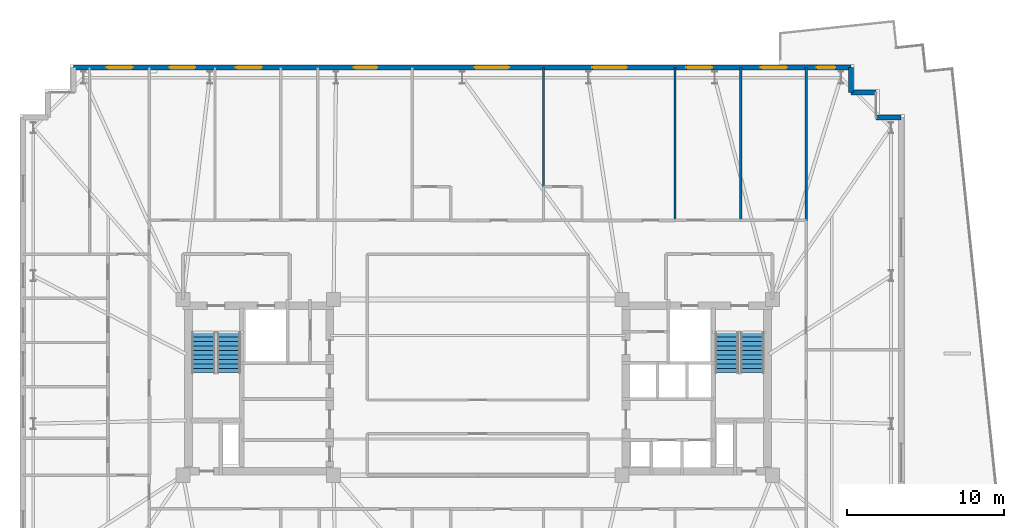
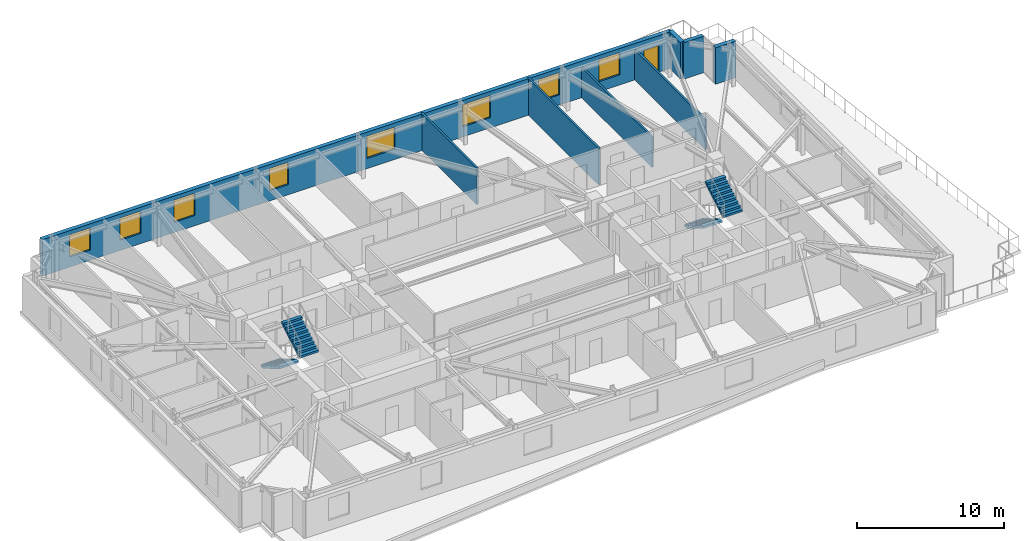
# One storey, part 15 of 19: 8 walls, 8 windows, 4 stair flights, 1 door, 9 openings, 2 elements without a shape of their own.
"""IFC4 building model written with IfcOpenShell, lengths in metres."""

from ifc_helpers import new_model, si_unit, direction, frame, frame_2d, origin, place, context, subcontext, project, spatial, polyline, rectangle, outline, extrude, material, layer, layer_set, type_object, element, fill, aggregate, save


model = new_model("IFC4")

# Units and contexts
model_context = context("Model", 3, precision=1e-05, world=origin(), true_north=direction((0.0, 1.0)))
body_context = subcontext(model_context, "Body", "Model", "MODEL_VIEW")
ifc_project = project(units=[si_unit("LENGTHUNIT", "METRE"), si_unit("AREAUNIT", "SQUARE_METRE"), si_unit("VOLUMEUNIT", "CUBIC_METRE"), si_unit("PLANEANGLEUNIT", "RADIAN"), si_unit("MASSUNIT", "GRAM", prefix="KILO")], contexts=[model_context])

# Site, building, storey
site_placement = place(None, origin())
site = spatial("IfcSite", under=ifc_project, at=site_placement, CompositionType="ELEMENT")
building_placement = place(site_placement, origin())
building = spatial("IfcBuilding", under=site, at=building_placement, Name="Qobustan Lattice House", CompositionType="ELEMENT")
storey_placement = place(building_placement, frame((0.0, 0.0, 131.0)))
storey = spatial("IfcBuildingStorey", under=building, at=storey_placement, Name="L36", CompositionType="ELEMENT", Elevation=131.0)

# Wall, openings, door, windows
ifc_material_1 = material(Name="Precast concrete C40/50", Category="concrete")
ifc_layer_1 = layer(ifc_material_1, 0.320068359375)
ifc_layer_set_1 = layer_set([ifc_layer_1], Name="Precast concrete C40/50")
wall_type_1 = type_object("IfcWallType", Name="WAL-EXT-STONE-320", PredefinedType="SOLIDWALL", material=ifc_layer_set_1)
wall_1_placement = place(storey_placement, frame((-25.800048828125, 20.39990234375, 0.0), z_axis=(0.0, 0.0, 1.0), x_axis=(1.0, 0.0, 0.0)))
wall_1 = element("IfcWall", 1, at=wall_1_placement, inside=storey, type_object=wall_type_1, Name="L36 exterior limestone-clad wall 10", PredefinedType="SOLIDWALL", context=body_context, shape_type="SweptSolid", body=[
    extrude(rectangle(XDim=49.60009765625, YDim=0.320068359375, at=frame_2d((24.800048828125, 0.0))), origin(), (0.0, 0.0, 1.0), 3.0400390625),
])
opening_1_placement = place(wall_1_placement, frame((47.39990234375, 0.0, 0.0)))
opening_1 = element("IfcOpeningElement", 2, at=opening_1_placement, cuts=wall_1, Name="Opening TD-01", PredefinedType="OPENING", context=body_context, shape_type="SweptSolid", body=[
    extrude(rectangle(XDim=1.199951171875, YDim=2.199951171875, at=frame_2d((0.60009765625, 1.10009765625))), frame((0.0, 0.169921875, 0.0), z_axis=(0.0, -1.0, 0.0), x_axis=(1.0, 0.0, 0.0)), (0.0, 0.0, 1.0), 0.340087890625),
])
opening_2_placement = place(wall_1_placement, frame((2.135009765625, 0.0, 0.85009765625)))
opening_2 = element("IfcOpeningElement", 3, at=opening_2_placement, cuts=wall_1, Name="Opening WN-09", PredefinedType="OPENING", context=body_context, shape_type="SweptSolid", body=[
    extrude(rectangle(XDim=1.64990234375, YDim=1.85009765625, at=frame_2d((0.824951171875, 0.925048828125))), frame((0.0, 0.169921875, 0.0), z_axis=(0.0, -1.0, 0.0), x_axis=(1.0, 0.0, 0.0)), (0.0, 0.0, 1.0), 0.340087890625),
])
opening_3_placement = place(wall_1_placement, frame((6.135009765625, 0.0, 0.85009765625)))
opening_3 = element("IfcOpeningElement", 4, at=opening_3_placement, cuts=wall_1, Name="Opening WN-09", PredefinedType="OPENING", context=body_context, shape_type="SweptSolid", body=[
    extrude(rectangle(XDim=1.64990234375, YDim=1.85009765625, at=frame_2d((0.824951171875, 0.925048828125))), frame((0.0, 0.169921875, 0.0), z_axis=(0.0, -1.0, 0.0), x_axis=(1.0, 0.0, 0.0)), (0.0, 0.0, 1.0), 0.340087890625),
])
opening_4_placement = place(wall_1_placement, frame((10.375, 0.0, 0.85009765625)))
opening_4 = element("IfcOpeningElement", 5, at=opening_4_placement, cuts=wall_1, Name="Opening WN-09", PredefinedType="OPENING", context=body_context, shape_type="SweptSolid", body=[
    extrude(rectangle(XDim=1.64990234375, YDim=1.85009765625, at=frame_2d((0.824951171875, 0.925048828125))), frame((0.0, 0.169921875, 0.0), z_axis=(0.0, -1.0, 0.0), x_axis=(1.0, 0.0, 0.0)), (0.0, 0.0, 1.0), 0.340087890625),
])
opening_5_placement = place(wall_1_placement, frame((17.889892578125, 0.0, 0.85009765625)))
opening_5 = element("IfcOpeningElement", 6, at=opening_5_placement, cuts=wall_1, Name="Opening WN-01", PredefinedType="OPENING", context=body_context, shape_type="SweptSolid", body=[
    extrude(rectangle(XDim=1.5, YDim=1.85009765625, at=frame_2d((0.75, 0.925048828125))), frame((0.0, 0.169921875, 0.0), z_axis=(0.0, -1.0, 0.0), x_axis=(1.0, 0.0, 0.0)), (0.0, 0.0, 1.0), 0.340087890625),
])
opening_6_placement = place(wall_1_placement, frame((25.592041015625, 0.0, 0.85009765625)))
opening_6 = element("IfcOpeningElement", 7, at=opening_6_placement, cuts=wall_1, Name="Opening WN-03", PredefinedType="OPENING", context=body_context, shape_type="SweptSolid", body=[
    extrude(rectangle(XDim=2.199951171875, YDim=1.85009765625, at=frame_2d((1.10009765625, 0.925048828125))), frame((0.0, 0.169921875, 0.0), z_axis=(0.0, -1.0, 0.0), x_axis=(1.0, 0.0, 0.0)), (0.0, 0.0, 1.0), 0.340087890625),
])
opening_7_placement = place(wall_1_placement, frame((33.10009765625, 0.0, 0.85009765625)))
opening_7 = element("IfcOpeningElement", 8, at=opening_7_placement, cuts=wall_1, Name="Opening WN-03", PredefinedType="OPENING", context=body_context, shape_type="SweptSolid", body=[
    extrude(rectangle(XDim=2.199951171875, YDim=1.85009765625, at=frame_2d((1.10009765625, 0.925048828125))), frame((0.0, 0.169921875, 0.0), z_axis=(0.0, -1.0, 0.0), x_axis=(1.0, 0.0, 0.0)), (0.0, 0.0, 1.0), 0.340087890625),
])
opening_8_placement = place(wall_1_placement, frame((39.091552734375, 0.0, 0.85009765625)))
opening_8 = element("IfcOpeningElement", 9, at=opening_8_placement, cuts=wall_1, Name="Opening WN-09", PredefinedType="OPENING", context=body_context, shape_type="SweptSolid", body=[
    extrude(rectangle(XDim=1.64990234375, YDim=1.85009765625, at=frame_2d((0.824951171875, 0.925048828125))), frame((0.0, 0.169921875, 0.0), z_axis=(0.0, -1.0, 0.0), x_axis=(1.0, 0.0, 0.0)), (0.0, 0.0, 1.0), 0.340087890625),
])
opening_9_placement = place(wall_1_placement, frame((43.85498046875, 0.0, 0.85009765625)))
opening_9 = element("IfcOpeningElement", 10, at=opening_9_placement, cuts=wall_1, Name="Opening WN-09", PredefinedType="OPENING", context=body_context, shape_type="SweptSolid", body=[
    extrude(rectangle(XDim=1.64990234375, YDim=1.85009765625, at=frame_2d((0.824951171875, 0.925048828125))), frame((0.0, 0.169921875, 0.0), z_axis=(0.0, -1.0, 0.0), x_axis=(1.0, 0.0, 0.0)), (0.0, 0.0, 1.0), 0.340087890625),
])
ifc_material_2 = material(Name="Thermally broken anodised aluminium glazed door", Category="aluminium")
door_type = type_object("IfcDoorType", Name="DOR-EXT-TERR-1200x2200", OperationType="NOTDEFINED", PredefinedType="DOOR", material=ifc_material_2)
door_placement = place(opening_1_placement, origin())
door = element("IfcDoor", 11, at=door_placement, inside=storey, type_object=door_type, Name="L36 outdoor terrace access door", OperationType="SINGLE_SWING_LEFT", OverallHeight=2.199951171875, OverallWidth=1.199951171875, PredefinedType="DOOR", context=body_context, shape_type="SweptSolid", body=[
    extrude(rectangle(XDim=1.199951171875, YDim=2.199951171875, at=frame_2d((0.60009765625, 1.10009765625))), frame((0.0, 0.02490234375, 0.0), z_axis=(0.0, -1.0, 0.0), x_axis=(1.0, 0.0, 0.0)), (0.0, 0.0, 1.0), 0.050048828125),
])
fill(opening_1, door)
ifc_material_3 = material(Name="Double-glazed low-E aluminium window", Category="aluminium")
window_type_1 = type_object("IfcWindowType", Name="WIN-BED-1500x1850", PartitioningType="SINGLE_PANEL", PredefinedType="WINDOW", material=ifc_material_3)
window_1_placement = place(opening_5_placement, origin())
window_1 = element("IfcWindow", 12, at=window_1_placement, inside=storey, type_object=window_type_1, Name="L36 Laundry utility room window", OverallHeight=1.85009765625, OverallWidth=1.5, PartitioningType="SINGLE_PANEL", PredefinedType="WINDOW", context=body_context, shape_type="SweptSolid", body=[
    extrude(rectangle(XDim=1.5, YDim=1.85009765625, at=frame_2d((0.75, 0.925048828125))), frame((0.0, 0.030029296875, 0.0), z_axis=(0.0, -1.0, 0.0), x_axis=(1.0, 0.0, 0.0)), (0.0, 0.0, 1.0), 0.06005859375),
])
fill(opening_5, window_1)
ifc_material_4 = material(Name="Double-glazed low-E aluminium window", Category="aluminium")
window_type_2 = type_object("IfcWindowType", Name="WIN-STU-1650x1850", PartitioningType="SINGLE_PANEL", PredefinedType="WINDOW", material=ifc_material_4)
window_2_placement = place(opening_2_placement, origin())
window_2 = element("IfcWindow", 13, at=window_2_placement, inside=storey, type_object=window_type_2, Name="L36 Reading seminar room L36WN window", OverallHeight=1.85009765625, OverallWidth=1.64990234375, PartitioningType="SINGLE_PANEL", PredefinedType="WINDOW", context=body_context, shape_type="SweptSolid", body=[
    extrude(rectangle(XDim=1.64990234375, YDim=1.85009765625, at=frame_2d((0.824951171875, 0.925048828125))), frame((0.0, 0.030029296875, 0.0), z_axis=(0.0, -1.0, 0.0), x_axis=(1.0, 0.0, 0.0)), (0.0, 0.0, 1.0), 0.06005859375),
])
fill(opening_2, window_2)
window_3_placement = place(opening_3_placement, origin())
window_3 = element("IfcWindow", 14, at=window_3_placement, inside=storey, type_object=window_type_2, Name="L36 Focus study room N1A window", OverallHeight=1.85009765625, OverallWidth=1.64990234375, PartitioningType="SINGLE_PANEL", PredefinedType="WINDOW", context=body_context, shape_type="SweptSolid", body=[
    extrude(rectangle(XDim=1.64990234375, YDim=1.85009765625, at=frame_2d((0.824951171875, 0.925048828125))), frame((0.0, 0.030029296875, 0.0), z_axis=(0.0, -1.0, 0.0), x_axis=(1.0, 0.0, 0.0)), (0.0, 0.0, 1.0), 0.06005859375),
])
fill(opening_3, window_3)
window_4_placement = place(opening_4_placement, origin())
window_4 = element("IfcWindow", 15, at=window_4_placement, inside=storey, type_object=window_type_2, Name="L36 Focus study room N1B window", OverallHeight=1.85009765625, OverallWidth=1.64990234375, PartitioningType="SINGLE_PANEL", PredefinedType="WINDOW", context=body_context, shape_type="SweptSolid", body=[
    extrude(rectangle(XDim=1.64990234375, YDim=1.85009765625, at=frame_2d((0.824951171875, 0.925048828125))), frame((0.0, 0.030029296875, 0.0), z_axis=(0.0, -1.0, 0.0), x_axis=(1.0, 0.0, 0.0)), (0.0, 0.0, 1.0), 0.06005859375),
])
fill(opening_4, window_4)
window_5_placement = place(opening_8_placement, origin())
window_5 = element("IfcWindow", 16, at=window_5_placement, inside=storey, type_object=window_type_2, Name="L36 Focus study room N5A window", OverallHeight=1.85009765625, OverallWidth=1.64990234375, PartitioningType="SINGLE_PANEL", PredefinedType="WINDOW", context=body_context, shape_type="SweptSolid", body=[
    extrude(rectangle(XDim=1.64990234375, YDim=1.85009765625, at=frame_2d((0.824951171875, 0.925048828125))), frame((0.0, 0.030029296875, 0.0), z_axis=(0.0, -1.0, 0.0), x_axis=(1.0, 0.0, 0.0)), (0.0, 0.0, 1.0), 0.06005859375),
])
fill(opening_8, window_5)
window_6_placement = place(opening_9_placement, origin())
window_6 = element("IfcWindow", 17, at=window_6_placement, inside=storey, type_object=window_type_2, Name="L36 Focus study room N5B window", OverallHeight=1.85009765625, OverallWidth=1.64990234375, PartitioningType="SINGLE_PANEL", PredefinedType="WINDOW", context=body_context, shape_type="SweptSolid", body=[
    extrude(rectangle(XDim=1.64990234375, YDim=1.85009765625, at=frame_2d((0.824951171875, 0.925048828125))), frame((0.0, 0.030029296875, 0.0), z_axis=(0.0, -1.0, 0.0), x_axis=(1.0, 0.0, 0.0)), (0.0, 0.0, 1.0), 0.06005859375),
])
fill(opening_9, window_6)
ifc_material_5 = material(Name="Double-glazed low-E aluminium window", Category="aluminium")
window_type_3 = type_object("IfcWindowType", Name="WIN-WIDE-2200x1850", PartitioningType="SINGLE_PANEL", PredefinedType="WINDOW", material=ifc_material_5)
window_7_placement = place(opening_6_placement, origin())
window_7 = element("IfcWindow", 18, at=window_7_placement, inside=storey, type_object=window_type_3, Name="L36 Kitchenette and studio apartment L36-N3 window", OverallHeight=1.85009765625, OverallWidth=2.199951171875, PartitioningType="SINGLE_PANEL", PredefinedType="WINDOW", context=body_context, shape_type="SweptSolid", body=[
    extrude(rectangle(XDim=2.199951171875, YDim=1.85009765625, at=frame_2d((1.10009765625, 0.925048828125))), frame((0.0, 0.030029296875, 0.0), z_axis=(0.0, -1.0, 0.0), x_axis=(1.0, 0.0, 0.0)), (0.0, 0.0, 1.0), 0.06005859375),
])
fill(opening_6, window_7)
window_8_placement = place(opening_7_placement, origin())
window_8 = element("IfcWindow", 19, at=window_8_placement, inside=storey, type_object=window_type_3, Name="L36 Kitchenette and studio apartment L36-N4 window", OverallHeight=1.85009765625, OverallWidth=2.199951171875, PartitioningType="SINGLE_PANEL", PredefinedType="WINDOW", context=body_context, shape_type="SweptSolid", body=[
    extrude(rectangle(XDim=2.199951171875, YDim=1.85009765625, at=frame_2d((1.10009765625, 0.925048828125))), frame((0.0, 0.030029296875, 0.0), z_axis=(0.0, -1.0, 0.0), x_axis=(1.0, 0.0, 0.0)), (0.0, 0.0, 1.0), 0.06005859375),
])
fill(opening_7, window_8)

# Walls
for number, where, z_axis, x_axis, name in (
    (20, (23.800048828125, 20.39990234375, 0.0), (0.0, 0.0, 1.0), (0.0, -1.0, 0.0), "L36 exterior limestone-clad wall 11"),
    (21, (23.800048828125, 18.800048828125, 0.0), (0.0, 0.0, 1.0), (1.0, 0.0, 0.0), "L36 exterior limestone-clad wall 12"),
):
    element("IfcWall", number, at=place(storey_placement, frame(where, z_axis=z_axis, x_axis=x_axis)), inside=storey, type_object=wall_type_1, Name=name, PredefinedType="SOLIDWALL", context=body_context, shape_type="SweptSolid", body=[
        extrude(rectangle(XDim=1.599853515625, YDim=0.320068359375, at=frame_2d((0.7998046875, 0.0))), origin(), (0.0, 0.0, 1.0), 3.0400390625),
    ])
wall_2_placement = place(storey_placement, frame((25.39990234375, 17.199951171875, 0.0), z_axis=(0.0, 0.0, 1.0), x_axis=(1.0, 0.0, 0.0)))
element("IfcWall", 22, at=wall_2_placement, inside=storey, type_object=wall_type_1, Name="L36 exterior limestone-clad wall 14", PredefinedType="SOLIDWALL", context=body_context, shape_type="SweptSolid", body=[
    extrude(rectangle(XDim=1.60009765625, YDim=0.320068359375, at=frame_2d((0.800048828125, 0.0))), origin(), (0.0, 0.0, 1.0), 3.0400390625),
])
ifc_material_6 = material(Name="Acoustic twin-stud gypsum partition", Category="gypsum")
ifc_layer_2 = layer(ifc_material_6, 0.14990234375)
ifc_layer_set_2 = layer_set([ifc_layer_2], Name="Acoustic twin-stud gypsum partition")
wall_type_2 = type_object("IfcWallType", Name="WAL-PART-150", PredefinedType="PARTITIONING", material=ifc_layer_set_2)
wall_3_placement = place(storey_placement, frame((20.949951171875, 10.64990234375, 0.0), z_axis=(0.0, 0.0, 1.0), x_axis=(0.0, 1.0, 0.0)))
element("IfcWall", 23, at=wall_3_placement, inside=storey, type_object=wall_type_2, Name="L36 interior partition 90", PredefinedType="PARTITIONING", context=body_context, shape_type="SweptSolid", body=[
    extrude(rectangle(XDim=9.75, YDim=0.14990234375, at=frame_2d((4.875, 0.0))), origin(), (0.0, 0.0, 1.0), 2.52490234375),
])
wall_4_placement = place(storey_placement, frame((4.18994140625, 20.39990234375, 0.0), z_axis=(0.0, 0.0, 1.0), x_axis=(0.0, -1.0, 0.0)))
element("IfcWall", 24, at=wall_4_placement, inside=storey, type_object=wall_type_2, Name="L36 interior partition 98", PredefinedType="PARTITIONING", context=body_context, shape_type="SweptSolid", body=[
    extrude(rectangle(XDim=7.599853515625, YDim=0.14990234375, at=frame_2d((3.7998046875, 0.0))), origin(), (0.0, 0.0, 1.0), 3.0400390625),
])
wall_5_placement = place(storey_placement, frame((12.570068359375, 20.39990234375, 0.0), z_axis=(0.0, 0.0, 1.0), x_axis=(0.0, -1.0, 0.0)))
element("IfcWall", 25, at=wall_5_placement, inside=storey, type_object=wall_type_2, Name="L36 interior partition 102", PredefinedType="PARTITIONING", context=body_context, shape_type="SweptSolid", body=[
    extrude(rectangle(XDim=9.75, YDim=0.14990234375, at=frame_2d((4.875, 0.0))), origin(), (0.0, 0.0, 1.0), 3.0400390625),
])
wall_6_placement = place(storey_placement, frame((16.760009765625, 20.39990234375, 0.0), z_axis=(0.0, 0.0, 1.0), x_axis=(0.0, -1.0, 0.0)))
element("IfcWall", 26, at=wall_6_placement, inside=storey, type_object=wall_type_2, Name="L36 interior partition 103", PredefinedType="PARTITIONING", context=body_context, shape_type="SweptSolid", body=[
    extrude(rectangle(XDim=9.75, YDim=0.14990234375, at=frame_2d((4.875, 0.0))), origin(), (0.0, 0.0, 1.0), 2.52490234375),
])

# Stair, stair flights
ifc_material_7 = material(Name="Concrete C40/50", Category="concrete")
stair_type = type_object("IfcStairType", Name="STR-CORE-DOGLEG", PredefinedType="HALF_TURN_STAIR", material=ifc_material_7)
stair_1_placement = place(storey_placement, origin())
stair_1 = element("IfcStair", 27, at=stair_1_placement, inside=storey, type_object=stair_type, Name="L36 West protected exit stair ST-W1", PredefinedType="HALF_TURN_STAIR")
ifc_material_8 = material(Name="Concrete C40/50", Category="concrete")
stair_flight_type = type_object("IfcStairFlightType", Name="SFL-RC-1500", PredefinedType="STRAIGHT", material=ifc_material_8)
stair_flight_1_placement = place(storey_placement, frame((-17.5, 3.5, 0.0), z_axis=(0.0, 0.0, 1.0), x_axis=(0.0, -1.0, 0.0)))
stair_flight_1 = element("IfcStairFlight", 28, at=stair_flight_1_placement, type_object=stair_flight_type, Name="ST-W1 flight 1", NumberOfRisers=10, NumberOfTreads=9, PredefinedType="STRAIGHT", RiserHeight=0.1675, TreadLength=0.285, context=body_context, shape_type="SweptSolid", body=[
    extrude(outline(polyline([(0.0, 0.0), (0.0, 0.16748046875), (0.284912109375, 0.16748046875), (0.284912109375, 0.3349609375), (0.570068359375, 0.3349609375), (0.570068359375, 0.50244140625), (0.85498046875, 0.50244140625), (0.85498046875, 0.669921875), (1.139892578125, 0.669921875), (1.139892578125, 0.83740234375), (1.425048828125, 0.83740234375), (1.425048828125, 1.0048828125), (1.7099609375, 1.0048828125), (1.7099609375, 1.172607421875), (1.9951171875, 1.172607421875), (1.9951171875, 1.340087890625), (2.280029296875, 1.340087890625), (2.280029296875, 1.507568359375), (2.56494140625, 1.507568359375), (2.56494140625, 1.675048828125), (2.56494140625, 1.333740234375), (0.2958984375, 0.0), (0.0, 0.0)])), frame((0.0, 0.75, 0.0), z_axis=(0.0, -1.0, 0.0), x_axis=(1.0, 0.0, 0.0)), (0.0, 0.0, 1.0), 1.5),
])
stair_flight_2_placement = place(storey_placement, frame((-15.8798828125, 0.93505859375, 1.675048828125), z_axis=(0.0, 0.0, 1.0), x_axis=(0.0, 1.0, 0.0)))
stair_flight_2 = element("IfcStairFlight", 29, at=stair_flight_2_placement, type_object=stair_flight_type, Name="ST-W1 flight 2", NumberOfRisers=10, NumberOfTreads=9, PredefinedType="STRAIGHT", RiserHeight=0.1675, TreadLength=0.285, context=body_context, shape_type="SweptSolid", body=[
    extrude(outline(polyline([(0.0, 0.0), (0.0, 0.16748046875), (0.284912109375, 0.16748046875), (0.284912109375, 0.3349609375), (0.570068359375, 0.3349609375), (0.570068359375, 0.50244140625), (0.85498046875, 0.50244140625), (0.85498046875, 0.669921875), (1.139892578125, 0.669921875), (1.139892578125, 0.83740234375), (1.425048828125, 0.83740234375), (1.425048828125, 1.0048828125), (1.7099609375, 1.0048828125), (1.7099609375, 1.172607421875), (1.9951171875, 1.172607421875), (1.9951171875, 1.340087890625), (2.280029296875, 1.340087890625), (2.280029296875, 1.507568359375), (2.56494140625, 1.507568359375), (2.56494140625, 1.675048828125), (2.56494140625, 1.333740234375), (0.2958984375, 0.0), (0.0, 0.0)])), frame((0.0, 0.75, 0.0), z_axis=(0.0, -1.0, 0.0), x_axis=(1.0, 0.0, 0.0)), (0.0, 0.0, 1.0), 1.5),
])
aggregate(stair_1, [stair_flight_1, stair_flight_2])

stair_2_placement = place(storey_placement, origin())
stair_2 = element("IfcStair", 30, at=stair_2_placement, inside=storey, type_object=stair_type, Name="L36 East protected exit stair ST-E1", PredefinedType="HALF_TURN_STAIR")
stair_flight_3_placement = place(storey_placement, frame((15.8798828125, 3.5, 0.0), z_axis=(0.0, 0.0, 1.0), x_axis=(0.0, -1.0, 0.0)))
stair_flight_3 = element("IfcStairFlight", 31, at=stair_flight_3_placement, type_object=stair_flight_type, Name="ST-E1 flight 1", NumberOfRisers=10, NumberOfTreads=9, PredefinedType="STRAIGHT", RiserHeight=0.1675, TreadLength=0.285, context=body_context, shape_type="SweptSolid", body=[
    extrude(outline(polyline([(0.0, 0.0), (0.0, 0.16748046875), (0.284912109375, 0.16748046875), (0.284912109375, 0.3349609375), (0.570068359375, 0.3349609375), (0.570068359375, 0.50244140625), (0.85498046875, 0.50244140625), (0.85498046875, 0.669921875), (1.139892578125, 0.669921875), (1.139892578125, 0.83740234375), (1.425048828125, 0.83740234375), (1.425048828125, 1.0048828125), (1.7099609375, 1.0048828125), (1.7099609375, 1.172607421875), (1.9951171875, 1.172607421875), (1.9951171875, 1.340087890625), (2.280029296875, 1.340087890625), (2.280029296875, 1.507568359375), (2.56494140625, 1.507568359375), (2.56494140625, 1.675048828125), (2.56494140625, 1.333740234375), (0.2958984375, 0.0), (0.0, 0.0)])), frame((0.0, 0.75, 0.0), z_axis=(0.0, -1.0, 0.0), x_axis=(1.0, 0.0, 0.0)), (0.0, 0.0, 1.0), 1.5),
])
stair_flight_4_placement = place(storey_placement, frame((17.5, 0.93505859375, 1.675048828125), z_axis=(0.0, 0.0, 1.0), x_axis=(0.0, 1.0, 0.0)))
stair_flight_4 = element("IfcStairFlight", 32, at=stair_flight_4_placement, type_object=stair_flight_type, Name="ST-E1 flight 2", NumberOfRisers=10, NumberOfTreads=9, PredefinedType="STRAIGHT", RiserHeight=0.1675, TreadLength=0.285, context=body_context, shape_type="SweptSolid", body=[
    extrude(outline(polyline([(0.0, 0.0), (0.0, 0.16748046875), (0.284912109375, 0.16748046875), (0.284912109375, 0.3349609375), (0.570068359375, 0.3349609375), (0.570068359375, 0.50244140625), (0.85498046875, 0.50244140625), (0.85498046875, 0.669921875), (1.139892578125, 0.669921875), (1.139892578125, 0.83740234375), (1.425048828125, 0.83740234375), (1.425048828125, 1.0048828125), (1.7099609375, 1.0048828125), (1.7099609375, 1.172607421875), (1.9951171875, 1.172607421875), (1.9951171875, 1.340087890625), (2.280029296875, 1.340087890625), (2.280029296875, 1.507568359375), (2.56494140625, 1.507568359375), (2.56494140625, 1.675048828125), (2.56494140625, 1.333740234375), (0.2958984375, 0.0), (0.0, 0.0)])), frame((0.0, 0.75, 0.0), z_axis=(0.0, -1.0, 0.0), x_axis=(1.0, 0.0, 0.0)), (0.0, 0.0, 1.0), 1.5),
])
aggregate(stair_2, [stair_flight_3, stair_flight_4])

save(model, "model.ifc")
